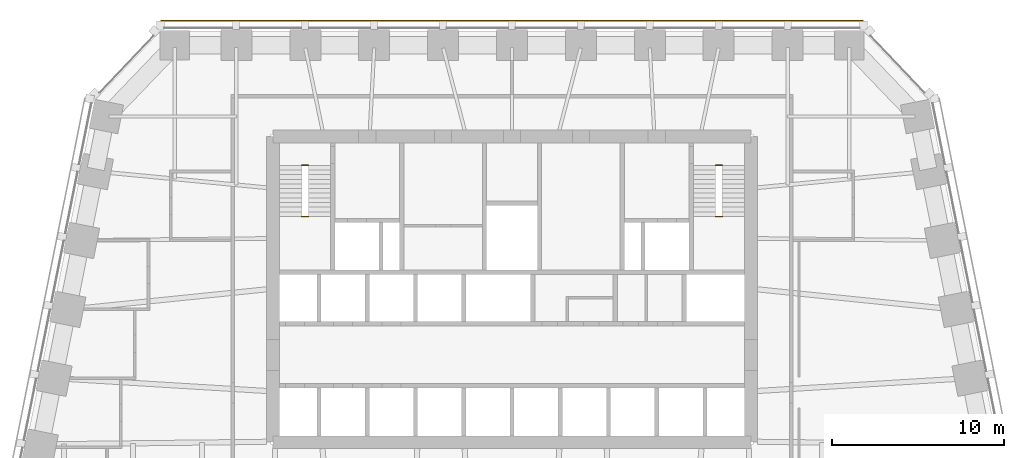
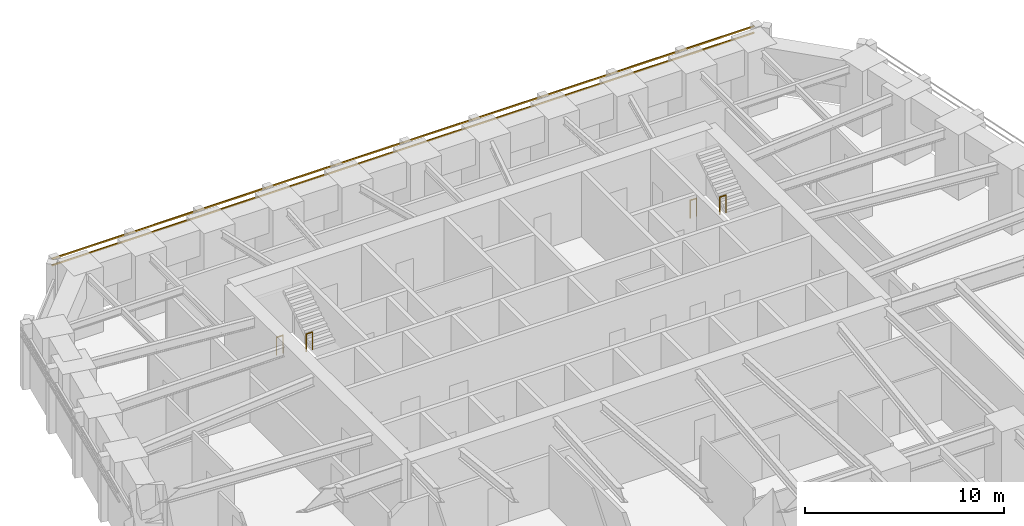
# One storey, part 10 of 10: 4 railings, 2 shading devices.
"""IFC4 building model written with IfcOpenShell, lengths in metres."""

import ifcopenshell
import ifcopenshell.guid

model = None  # the IFC model being written
_history = None  # IfcOwnerHistory: only IFC2X3 demands one
_inside = {}  # id of a spatial element -> (the spatial element, [elements in it])
_under = {}  # id of a project, library or spatial element -> (it, [spatial elements below it])
_declared = {}  # id of a project -> (the project, [libraries it declares])
_typed = {}  # id of a type object -> (the type object, [elements of that type])
_made_of = {}  # id of a material, layer set ... -> (it, [elements and type objects made of it])


def new_model(schema):
    """Start an empty IFC model of exactly this schema.

    Asked for "IFC4X3", IfcOpenShell would pick the latest addendum, in which some entities
    have other attributes; the version numbers below select the first issue.
    IFC2X3 requires an IfcOwnerHistory on every rooted entity: one is made here for all.
    """
    global model, _history
    if schema == "IFC4X3":
        model = ifcopenshell.file(schema_version=(4, 3, 0, 0))
    else:
        model = ifcopenshell.file(schema=schema)
    _inside.clear()
    _under.clear()
    _declared.clear()
    _typed.clear()
    _made_of.clear()
    _history = None
    if model.schema == "IFC2X3":
        org = make("IfcOrganization", Name="unknown")
        user = make(
            "IfcPersonAndOrganization",
            ThePerson=make("IfcPerson", FamilyName="unknown"),
            TheOrganization=org,
        )
        app = make(
            "IfcApplication",
            ApplicationDeveloper=org,
            Version="unknown",
            ApplicationFullName="unknown",
            ApplicationIdentifier="unknown",
        )
        _history = make(
            "IfcOwnerHistory",
            OwningUser=user,
            OwningApplication=app,
            ChangeAction="ADDED",
            CreationDate=0,
        )
    return model


def make(cls, **values):
    """One entity of the class cls with the attributes given. An attribute that is None is left unset."""
    return model.create_entity(
        cls, **{name: value for name, value in values.items() if value is not None}
    )


def rooted(cls, **values):
    """An entity with a GlobalId (a new one), such as an element, a storey or a relation."""
    return make(cls, GlobalId=ifcopenshell.guid.new(), OwnerHistory=_history, **values)


def si_unit(unit_type, name, prefix=None):
    """IfcSIUnit, for example si_unit("LENGTHUNIT", "METRE", prefix="MILLI")."""
    return make("IfcSIUnit", UnitType=unit_type, Prefix=prefix, Name=name)


def assignment(units):
    """IfcUnitAssignment: the units of a project."""
    return None if units is None else make("IfcUnitAssignment", Units=units)


def point(xyz):
    """IfcCartesianPoint."""
    return None if xyz is None else make("IfcCartesianPoint", Coordinates=xyz)


def direction(xyz):
    """IfcDirection."""
    return None if xyz is None else make("IfcDirection", DirectionRatios=xyz)


def frame(location, z_axis=None, x_axis=None):
    """IfcAxis2Placement3D, a coordinate frame: its origin and axes. An axis left out is left unset."""
    return make(
        "IfcAxis2Placement3D",
        Location=point(location),
        Axis=direction(z_axis),
        RefDirection=direction(x_axis),
    )


def frame_2d(location, x_axis=None):
    """IfcAxis2Placement2D, a coordinate frame in the plane: its origin and x axis."""
    return make(
        "IfcAxis2Placement2D", Location=point(location), RefDirection=direction(x_axis)
    )


def origin():
    """The frame at (0, 0, 0) with its axes left unset."""
    return frame((0.0, 0.0, 0.0))


def origin_2d():
    """The frame at (0, 0) in the plane with its x axis left unset."""
    return frame_2d((0.0, 0.0))


def place(relative_to, where):
    """IfcLocalPlacement: puts the frame where relative to a parent placement (None: the world)."""
    return make(
        "IfcLocalPlacement", PlacementRelTo=relative_to, RelativePlacement=where
    )


def context(
    kind, dimensions, precision=None, world=None, true_north=None, identifier=None
):
    """IfcGeometricRepresentationContext, for example the 3D "Model" context."""
    return make(
        "IfcGeometricRepresentationContext",
        ContextIdentifier=identifier,
        ContextType=kind,
        CoordinateSpaceDimension=dimensions,
        Precision=precision,
        WorldCoordinateSystem=world,
        TrueNorth=true_north,
    )


def subcontext(parent, identifier, kind, view, scale=None):
    """IfcGeometricRepresentationSubContext, for example "Body" below "Model"."""
    return make(
        "IfcGeometricRepresentationSubContext",
        ContextIdentifier=identifier,
        ContextType=kind,
        ParentContext=parent,
        TargetScale=scale,
        TargetView=view,
    )


def project(units=None, contexts=None):
    """IfcProject with its units and contexts."""
    return rooted(
        "IfcProject",
        Name="project",
        RepresentationContexts=contexts,
        UnitsInContext=assignment(units),
    )


def spatial(cls, under=None, at=None, **own):
    """A site, building, storey or space (cls), placed at a placement, below another one or the project."""
    s = rooted(cls, ObjectPlacement=at, **own)
    if under is not None:
        _under.setdefault(under.id(), (under, []))[1].append(s)
    return s


def profile(cls, at=None, kind="AREA", **sizes):
    """A parametric profile (cls). Its sizes go by their IFC names, for example OverallWidth=200.0."""
    return make(cls, ProfileType=kind, Position=at, **sizes)


def rectangle(**sizes):
    """IfcRectangleProfileDef."""
    return profile("IfcRectangleProfileDef", **sizes)


def circle(**sizes):
    """IfcCircleProfileDef."""
    return profile("IfcCircleProfileDef", **sizes)


def extrude(swept, where, along, depth):
    """IfcExtrudedAreaSolid: the profile swept, set in the frame where, extruded along a direction by depth."""
    return make(
        "IfcExtrudedAreaSolid",
        SweptArea=swept,
        Position=where,
        ExtrudedDirection=direction(along),
        Depth=depth,
    )


def shape(context_of_items, identifier, shape_type, items):
    """IfcShapeRepresentation: the items that make up one representation, for example the "Body"."""
    return make(
        "IfcShapeRepresentation",
        ContextOfItems=context_of_items,
        RepresentationIdentifier=identifier,
        RepresentationType=shape_type,
        Items=items,
    )


def material(Name=None, Category=None):
    """IfcMaterial."""
    return make("IfcMaterial", Name=Name, Category=Category)


def material_profile(
    of_material, cross_section, Name=None, Category=None, Priority=None
):
    """IfcMaterialProfile: a cross section and its material."""
    return make(
        "IfcMaterialProfile",
        Name=Name,
        Material=of_material,
        Profile=cross_section,
        Priority=Priority,
        Category=Category,
    )


def profile_set(profiles, Name=None, composite=None):
    """IfcMaterialProfileSet."""
    return make(
        "IfcMaterialProfileSet",
        Name=Name,
        MaterialProfiles=profiles,
        CompositeProfile=composite,
    )


def made_of(thing, what):
    """Note that an element or type object is made of a material, layer set ...; save() writes the relation."""
    if what is not None:
        _made_of.setdefault(what.id(), (what, []))[1].append(thing)
    return thing


def type_object(cls, material=None, **own):
    """A type object (cls), such as IfcWallType, which elements share."""
    return made_of(rooted(cls, **own), material)


def element(
    cls,
    number,
    at=None,
    inside=None,
    cuts=None,
    type_object=None,
    material=None,
    context=None,
    identifier="Body",
    shape_type=None,
    held_by="IfcProductDefinitionShape",
    body=None,
    shapes=None,
    **own,
):
    """One element of the class cls, such as IfcWall. Its Tag is "e" and its number.

    at: its placement. inside: the storey or other place that contains it. cuts: it is an
    opening in that element (IfcRelVoidsElement). A single representation is given by context,
    identifier, shape_type and body (its items); several are given by shapes. held_by: the class
    of the entity that holds the representations. save() writes the other relations.
    """
    e = rooted(cls, Tag="e%d" % number, ObjectPlacement=at, **own)
    if body is not None:
        shapes = [shape(context, identifier, shape_type, body)]
    if shapes is not None:
        e.Representation = make(held_by, Representations=shapes)
    if inside is not None:
        _inside.setdefault(inside.id(), (inside, []))[1].append(e)
    if cuts is not None:
        rooted(
            "IfcRelVoidsElement", RelatingBuildingElement=cuts, RelatedOpeningElement=e
        )
    if type_object is not None:
        _typed.setdefault(type_object.id(), (type_object, []))[1].append(e)
    return made_of(e, material)


def aggregate(whole, parts):
    """IfcRelAggregates: a whole, such as a stair, and the parts it consists of."""
    return rooted("IfcRelAggregates", RelatingObject=whole, RelatedObjects=parts)


def save(model, path):
    """Write the relations noted so far, then the file.

    IfcRelAggregates (storeys below a building ...), IfcRelContainedInSpatialStructure (elements
    in a storey), IfcRelDefinesByType, IfcRelAssociatesMaterial and IfcRelDeclares: one each for
    every whole, place, type object, material and project.
    """
    for whole, parts in _under.values():
        aggregate(whole, parts)
    for where, things in _inside.values():
        rooted(
            "IfcRelContainedInSpatialStructure",
            RelatedElements=things,
            RelatingStructure=where,
        )
    for kind, things in _typed.values():
        rooted("IfcRelDefinesByType", RelatedObjects=things, RelatingType=kind)
    for what, things in _made_of.values():
        rooted("IfcRelAssociatesMaterial", RelatedObjects=things, RelatingMaterial=what)
    for by, libraries in _declared.values():
        rooted("IfcRelDeclares", RelatingContext=by, RelatedDefinitions=libraries)
    model.write(path)


model = new_model("IFC4")

# Units and contexts
model_context = context("Model", 3, precision=1e-05, world=origin(), true_north=direction((0.0, 1.0)))
body_context = subcontext(model_context, "Body", "Model", "MODEL_VIEW")
ifc_project = project(units=[si_unit("LENGTHUNIT", "METRE"), si_unit("AREAUNIT", "SQUARE_METRE"), si_unit("VOLUMEUNIT", "CUBIC_METRE"), si_unit("PLANEANGLEUNIT", "RADIAN"), si_unit("MASSUNIT", "GRAM", prefix="KILO")], contexts=[model_context])

# Site, building, storey
site_placement = place(None, origin())
site = spatial("IfcSite", under=ifc_project, at=site_placement, CompositionType="ELEMENT")
building_placement = place(site_placement, origin())
building = spatial("IfcBuilding", under=site, at=building_placement, Name="Isbrekke Arena Tower", CompositionType="ELEMENT")
storey_placement = place(building_placement, frame((0.0, 0.0, 107.0)))
storey = spatial("IfcBuildingStorey", under=building, at=storey_placement, Name="L23", CompositionType="ELEMENT", Elevation=107.0)

# Shading devices
ifc_material_1 = material(Name="Terracotta", Category="masonry")
ifc_material_profile = material_profile(ifc_material_1, rectangle(XDim=0.06005859375, YDim=0.06005859375, at=origin_2d()), Name="BAGUETTE 60X60")
ifc_profile_set = profile_set([ifc_material_profile], Name="Terracotta")
shading_device_type = type_object("IfcShadingDeviceType", Name="BG1 TERRACOTTA BAGUETTE 60 x 60", PredefinedType="USERDEFINED", material=ifc_profile_set)
for number, where, z_axis, x_axis, name in (
    (1, (20.39990234375, 30.60498046875, 3.280029296875), (-1.0, 0.0, 0.0), (0.0, -1.0, 0.0), "BG1 terracotta baguette N1 L23"),
    (2, (20.39990234375, 30.60498046875, 3.679931640625), (-1.0, 0.0, 0.0), (0.0, -1.0, 0.0), "BG1 terracotta baguette N2 L23"),
):
    element("IfcShadingDevice", number, at=place(storey_placement, frame(where, z_axis=z_axis, x_axis=x_axis)), inside=storey, type_object=shading_device_type, Name=name, ObjectType="TERRACOTTA BAGUETTE", PredefinedType="USERDEFINED", context=body_context, shape_type="SweptSolid", body=[
        extrude(rectangle(XDim=0.06005859375, YDim=0.06005859375, at=origin_2d()), origin(), (0.0, 0.0, 1.0), 40.7998046875),
    ])

# Railings
ifc_material_2 = material(Name="Steel stair guard, vertical bars, steel handrail", Category="steel")
railing_type = type_object("IfcRailingType", Name="GR3 STAIR WELL GUARD 1100", PredefinedType="GUARDRAIL", material=ifc_material_2)
for number, where, name in (
    (3, (-12.199951171875, 22.199951171875, 0.0), "GR3 stair well guard ST1 L23"),
    (4, (-12.199951171875, 19.22998046875, 2.0), "GR3 stair well guard ST1 L23"),
    (5, (11.824951171875, 22.199951171875, 0.0), "GR3 stair well guard ST2 L23"),
    (6, (11.824951171875, 19.22998046875, 2.0), "GR3 stair well guard ST2 L23"),
):
    element("IfcRailing", number, at=place(storey_placement, frame(where)), inside=storey, type_object=railing_type, Name=name, PredefinedType="GUARDRAIL", context=body_context, shape_type="SweptSolid", body=[
        extrude(circle(Radius=0.02392578125, at=origin_2d()), frame((0.0, 0.0, 1.076171875), z_axis=(1.0, 0.0, 0.0), x_axis=(0.0, 1.0, 0.0)), (0.0, 0.0, 1.0), 0.375),
        extrude(circle(Radius=0.02099609375, at=origin_2d()), origin(), (0.0, 0.0, 1.0), 1.052001953125),
        extrude(circle(Radius=0.02099609375, at=origin_2d()), frame((0.375, 0.0, 0.0)), (0.0, 0.0, 1.0), 1.052001953125),
    ])

save(model, "model.ifc")
